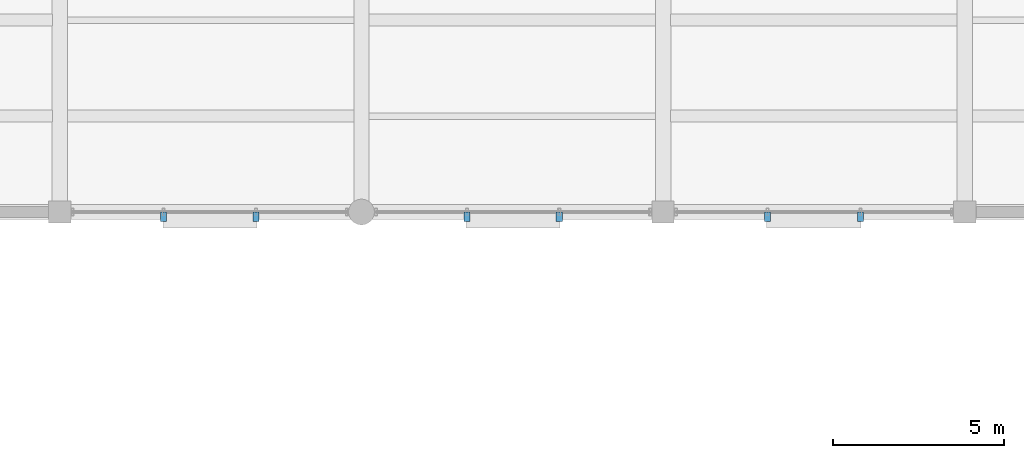
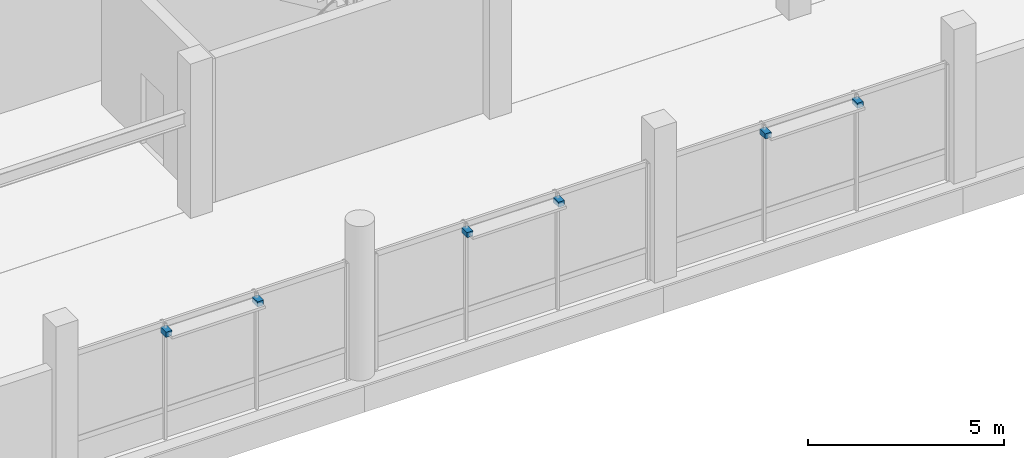
# One storey, part 66 of 71: 6 discrete accessories.
"""IFC4 building model written with IfcOpenShell, lengths in metres."""

from ifc_helpers import new_model, si_unit, direction, frame, origin, origin_2d, place, context, subcontext, project, spatial, rectangle, extrude, material, type_object, element, save


model = new_model("IFC4")

# Units and contexts
model_context = context("Model", 3, precision=1e-05, world=origin(), true_north=direction((0.0, 1.0)))
body_context = subcontext(model_context, "Body", "Model", "MODEL_VIEW")
ifc_project = project(units=[si_unit("LENGTHUNIT", "METRE"), si_unit("AREAUNIT", "SQUARE_METRE"), si_unit("VOLUMEUNIT", "CUBIC_METRE"), si_unit("PLANEANGLEUNIT", "RADIAN"), si_unit("MASSUNIT", "GRAM", prefix="KILO")], contexts=[model_context])

# Site, building, storey
site_placement = place(None, origin())
site = spatial("IfcSite", under=ifc_project, at=site_placement, CompositionType="ELEMENT")
building_placement = place(site_placement, origin())
building = spatial("IfcBuilding", under=site, at=building_placement, Name="Meriwether Solvik Hall", CompositionType="ELEMENT")
storey_placement = place(building_placement, frame((0.0, 0.0, 5.10009765625)))
storey = spatial("IfcBuildingStorey", under=building, at=storey_placement, Name="L01", CompositionType="ELEMENT", Elevation=5.10009765625)

# Discrete accessories
ifc_material = material(Name="Steel A36 Galvanised", Category="steel")
discrete_accessory_type = type_object("IfcDiscreteAccessoryType", Name="ACC-BRK-STL", PredefinedType="BRACKET", material=ifc_material)
for number, where, z_axis, x_axis, name in (
    (1, (137.52099609375, 49.860107421875, 3.31005859375), (0.0, 0.0, 1.0), (-1.0, 0.0, 0.0), "Sunshade Outrigger Bracket wing_XF_15_14-1"),
    (2, (134.8291015625, 49.860107421875, 3.31005859375), (0.0, 0.0, 1.0), (-1.0, 0.0, 0.0), "Sunshade Outrigger Bracket wing_XF_15_14-2"),
    (3, (146.37109375, 49.860107421875, 3.31005859375), (0.0, 0.0, 1.0), (-1.0, 0.0, 0.0), "Sunshade Outrigger Bracket wing_XF_16_15-1"),
    (4, (143.678955078125, 49.860107421875, 3.31005859375), (0.0, 0.0, 1.0), (-1.0, 0.0, 0.0), "Sunshade Outrigger Bracket wing_XF_16_15-2"),
    (5, (155.154296875, 49.860107421875, 3.31005859375), (0.0, 0.0, 1.0), (-1.0, 0.0, 0.0), "Sunshade Outrigger Bracket wing_XF_17_16-1"),
    (6, (152.445556640625, 49.860107421875, 3.31005859375), (0.0, 0.0, 1.0), (-1.0, 0.0, 0.0), "Sunshade Outrigger Bracket wing_XF_17_16-2"),
):
    element("IfcDiscreteAccessory", number, at=place(storey_placement, frame(where, z_axis=z_axis, x_axis=x_axis)), inside=storey, type_object=discrete_accessory_type, Name=name, PredefinedType="BRACKET", context=body_context, shape_type="SweptSolid", body=[
        extrude(rectangle(XDim=0.179931640625, YDim=0.280029296875, at=origin_2d()), origin(), (0.0, 0.0, 1.0), 0.159912109375),
    ])

save(model, "model.ifc")
